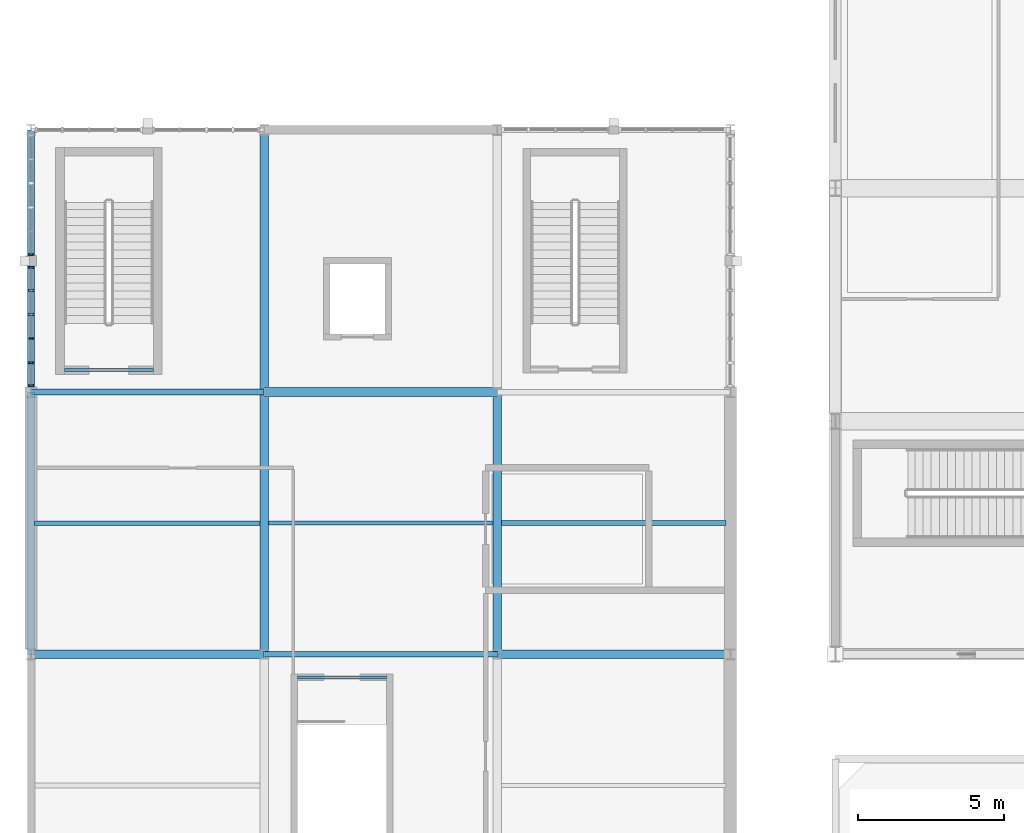
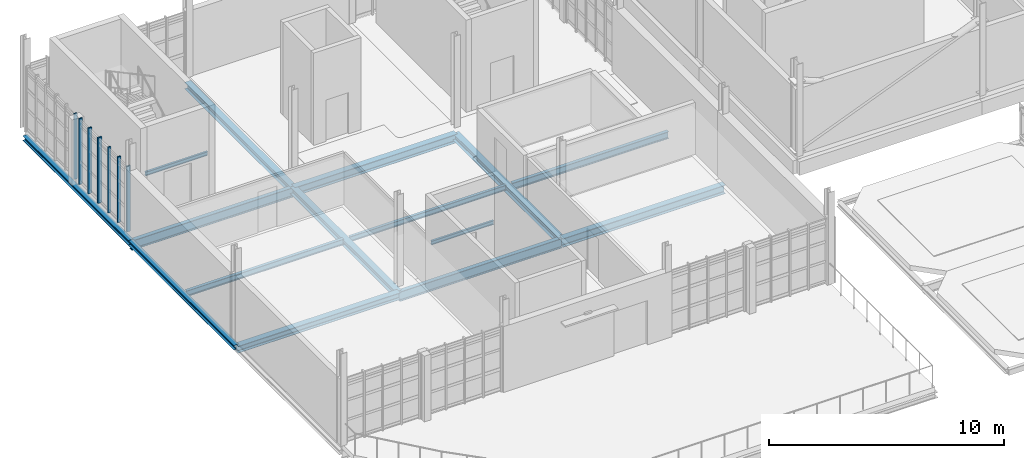
# One storey, part 13 of 128: 15 beams, 7 members, 2 elements without a shape of their own.
"""IFC4 building model written with IfcOpenShell, lengths in metres."""

from ifc_helpers import new_model, si_unit, direction, frame, origin, origin_2d, place, context, subcontext, project, spatial, rectangle, i_section, extrude, material, material_profile, profile_set, type_object, element, aggregate, save


model = new_model("IFC4")

# Units and contexts
model_context = context("Model", 3, precision=1e-05, world=origin(), true_north=direction((0.0, 1.0)))
body_context = subcontext(model_context, "Body", "Model", "MODEL_VIEW")
ifc_project = project(units=[si_unit("LENGTHUNIT", "METRE"), si_unit("AREAUNIT", "SQUARE_METRE"), si_unit("VOLUMEUNIT", "CUBIC_METRE"), si_unit("PLANEANGLEUNIT", "RADIAN"), si_unit("MASSUNIT", "GRAM", prefix="KILO")], contexts=[model_context])

# Site, building, storey
site_placement = place(None, origin())
site = spatial("IfcSite", under=ifc_project, at=site_placement, CompositionType="ELEMENT")
building_placement = place(site_placement, origin())
building = spatial("IfcBuilding", under=site, at=building_placement, Name="Serraforn Aerial Cableway Station", CompositionType="ELEMENT")
storey_placement = place(building_placement, frame((0.0, 0.0, 9.0)))
storey = spatial("IfcBuildingStorey", under=building, at=storey_placement, Name="L02", CompositionType="ELEMENT", Elevation=9.0)

# Beams
ifc_material_1 = material(Name="Steel S355JR", Category="steel")
ifc_material_profile_1 = material_profile(ifc_material_1, i_section(OverallWidth=0.239990234375, OverallDepth=0.239990234375, WebThickness=0.007568359375, FlangeThickness=0.011962890625, FilletRadius=0.02099609375, at=origin_2d()), Name="HEA 240")
ifc_profile_set_1 = profile_set([ifc_material_profile_1], Name="Steel S355JR")
beam_type_1 = type_object("IfcBeamType", Name="BM-ST-HEA240", PredefinedType="BEAM", material=ifc_profile_set_1)
for number, where, z_axis, x_axis, name in (
    (1, (0.0, 18.0, -0.43994140625), (0.0, 1.0, 0.0), (-1.0, 0.0, 0.0), "Grid Girder Y W L02 X1-2"),
    (2, (0.0, 27.0, -0.43994140625), (0.0, 1.0, 0.0), (-1.0, 0.0, 0.0), "Grid Girder Y W L02 X1-3"),
):
    element("IfcBeam", number, at=place(storey_placement, frame(where, z_axis=z_axis, x_axis=x_axis)), inside=storey, type_object=beam_type_1, Name=name, PredefinedType="BEAM", context=body_context, shape_type="SweptSolid", body=[
        extrude(i_section(OverallWidth=0.239990234375, OverallDepth=0.239990234375, WebThickness=0.007568359375, FlangeThickness=0.011962890625, FilletRadius=0.02099609375, at=origin_2d()), origin(), (0.0, 0.0, 1.0), 9.0),
    ])
ifc_material_profile_2 = material_profile(ifc_material_1, i_section(OverallWidth=0.300048828125, OverallDepth=0.360107421875, WebThickness=0.010009765625, FlangeThickness=0.017578125, FilletRadius=0.027099609375, at=origin_2d()), Name="HEA 360")
ifc_profile_set_2 = profile_set([ifc_material_profile_2], Name="Steel S355JR")
beam_type_2 = type_object("IfcBeamType", Name="BM-ST-HEA360", PredefinedType="BEAM", material=ifc_profile_set_2)
for number, where, z_axis, x_axis, name in (
    (3, (8.0, 18.0, -0.5), (0.0, 1.0, 0.0), (-1.0, 0.0, 0.0), "Grid Girder Y W L02 X2-3"),
    (4, (8.0, 27.0, -0.5), (0.0, 1.0, 0.0), (-1.0, 0.0, 0.0), "Grid Girder Y W L02 X2-4"),
    (5, (16.0, 18.0, -0.5), (0.0, 1.0, 0.0), (-1.0, 0.0, 0.0), "Grid Girder Y W L02 X3-3"),
):
    element("IfcBeam", number, at=place(storey_placement, frame(where, z_axis=z_axis, x_axis=x_axis)), inside=storey, type_object=beam_type_2, Name=name, PredefinedType="BEAM", context=body_context, shape_type="SweptSolid", body=[
        extrude(i_section(OverallWidth=0.300048828125, OverallDepth=0.360107421875, WebThickness=0.010009765625, FlangeThickness=0.017578125, FilletRadius=0.027099609375, at=origin_2d()), origin(), (0.0, 0.0, 1.0), 9.0),
    ])
ifc_material_profile_3 = material_profile(ifc_material_1, i_section(OverallWidth=0.300048828125, OverallDepth=0.449951171875, WebThickness=0.011474609375, FlangeThickness=0.02099609375, FilletRadius=0.027099609375, at=origin_2d()), Name="HEA 450")
ifc_profile_set_3 = profile_set([ifc_material_profile_3], Name="Steel S355JR")
beam_type_3 = type_object("IfcBeamType", Name="BM-ST-HEA450", PredefinedType="USERDEFINED", material=ifc_profile_set_3)
for number, where, z_axis, x_axis, name in (
    (6, (16.0, 18.0, -0.544921875), (1.0, 0.0, 0.0), (0.0, 1.0, 0.0), "Grid Girder X W L02 Y3-3"),
    (7, (8.0, 27.0, -0.544921875), (1.0, 0.0, 0.0), (0.0, 1.0, 0.0), "Grid Girder X W L02 Y4-2"),
):
    element("IfcBeam", number, at=place(storey_placement, frame(where, z_axis=z_axis, x_axis=x_axis)), inside=storey, type_object=beam_type_3, Name=name, ObjectType="GIRDER", PredefinedType="USERDEFINED", context=body_context, shape_type="SweptSolid", body=[
        extrude(i_section(OverallWidth=0.300048828125, OverallDepth=0.449951171875, WebThickness=0.011474609375, FlangeThickness=0.02099609375, FilletRadius=0.027099609375, at=origin_2d()), origin(), (0.0, 0.0, 1.0), 8.0),
    ])
ifc_material_2 = material(Name="Steel S355J2", Category="steel")
ifc_material_profile_4 = material_profile(ifc_material_2, i_section(OverallWidth=0.300048828125, OverallDepth=0.360107421875, WebThickness=0.012451171875, FlangeThickness=0.0224609375, FilletRadius=0.027099609375, at=origin_2d()), Name="HEB 360")
ifc_profile_set_4 = profile_set([ifc_material_profile_4], Name="Steel S355J2")
beam_type_4 = type_object("IfcBeamType", Name="BM-ST-HEB360", PredefinedType="USERDEFINED", material=ifc_profile_set_4)
beam_1_placement = place(storey_placement, frame((0.0, 18.0, -0.5), z_axis=(1.0, 0.0, 0.0), x_axis=(0.0, 1.0, 0.0)))
element("IfcBeam", 8, at=beam_1_placement, inside=storey, type_object=beam_type_4, Name="Grid Girder X W L02 Y3-1", ObjectType="GIRDER", PredefinedType="USERDEFINED", context=body_context, shape_type="SweptSolid", body=[
    extrude(i_section(OverallWidth=0.300048828125, OverallDepth=0.360107421875, WebThickness=0.012451171875, FlangeThickness=0.0224609375, FilletRadius=0.027099609375, at=origin_2d()), origin(), (0.0, 0.0, 1.0), 8.0),
])
ifc_material_profile_5 = material_profile(ifc_material_1, i_section(OverallWidth=0.10009765625, OverallDepth=0.199951171875, WebThickness=0.005615234375, FlangeThickness=0.008544921875, FilletRadius=0.011962890625, at=origin_2d()), Name="IPE 200")
ifc_profile_set_5 = profile_set([ifc_material_profile_5], Name="Steel S355JR")
beam_type_5 = type_object("IfcBeamType", Name="BM-ST-IPE200", PredefinedType="LINTEL", material=ifc_profile_set_5)
for number, where, z_axis, x_axis, name in (
    (9, (4.199951171875, 27.75, 2.27490234375), (-1.0, 0.0, 0.0), (0.0, -1.0, 0.0), "Stair Core Door Lintel D-S03"),
    (10, (9.139892578125, 17.2099609375, 2.27490234375), (1.0, 0.0, 0.0), (0.0, 1.0, 0.0), "Stair Core Door Lintel D-S11"),
):
    element("IfcBeam", number, at=place(storey_placement, frame(where, z_axis=z_axis, x_axis=x_axis)), inside=storey, type_object=beam_type_5, Name=name, PredefinedType="LINTEL", context=body_context, shape_type="SweptSolid", body=[
        extrude(i_section(OverallWidth=0.10009765625, OverallDepth=0.199951171875, WebThickness=0.005615234375, FlangeThickness=0.008544921875, FilletRadius=0.011962890625, at=origin_2d()), origin(), (0.0, 0.0, 1.0), 3.06005859375),
    ])
ifc_material_profile_6 = material_profile(ifc_material_1, i_section(OverallWidth=0.135009765625, OverallDepth=0.27001953125, WebThickness=0.006591796875, FlangeThickness=0.01025390625, FilletRadius=0.014892578125, at=origin_2d()), Name="IPE 270")
ifc_profile_set_6 = profile_set([ifc_material_profile_6], Name="Steel S355JR")
beam_type_6 = type_object("IfcBeamType", Name="BM-ST-IPE270", PredefinedType="JOIST", material=ifc_profile_set_6)
beam_2_placement = place(storey_placement, frame((8.14990234375, 22.5, -0.389892578125), z_axis=(1.0, 0.0, 0.0), x_axis=(0.0, 1.0, 0.0)))
element("IfcBeam", 11, at=beam_2_placement, inside=storey, type_object=beam_type_6, Name="Floor Joist W-L02-2-3-1", PredefinedType="JOIST", context=body_context, shape_type="SweptSolid", body=[
    extrude(i_section(OverallWidth=0.135009765625, OverallDepth=0.27001953125, WebThickness=0.006591796875, FlangeThickness=0.01025390625, FilletRadius=0.014892578125, at=origin_2d()), origin(), (0.0, 0.0, 1.0), 7.7001953125),
])
ifc_material_profile_7 = material_profile(ifc_material_1, i_section(OverallWidth=0.14990234375, OverallDepth=0.300048828125, WebThickness=0.007080078125, FlangeThickness=0.0107421875, FilletRadius=0.014892578125, at=origin_2d()), Name="IPE 300")
ifc_profile_set_7 = profile_set([ifc_material_profile_7], Name="Steel S355JR")
beam_type_7 = type_object("IfcBeamType", Name="BM-ST-IPE300", PredefinedType="JOIST", material=ifc_profile_set_7)
beam_3_placement = place(storey_placement, frame((0.1201171875, 22.5, -0.405029296875), z_axis=(1.0, 0.0, 0.0), x_axis=(0.0, 1.0, 0.0)))
element("IfcBeam", 12, at=beam_3_placement, inside=storey, type_object=beam_type_7, Name="Floor Joist W-L02-1-3-1", PredefinedType="JOIST", context=body_context, shape_type="SweptSolid", body=[
    extrude(i_section(OverallWidth=0.14990234375, OverallDepth=0.300048828125, WebThickness=0.007080078125, FlangeThickness=0.0107421875, FilletRadius=0.014892578125, at=origin_2d()), origin(), (0.0, 0.0, 1.0), 7.72998046875),
])
ifc_material_profile_8 = material_profile(ifc_material_1, i_section(OverallWidth=0.169921875, OverallDepth=0.360107421875, WebThickness=0.008056640625, FlangeThickness=0.0126953125, FilletRadius=0.01806640625, at=origin_2d()), Name="IPE 360")
ifc_profile_set_8 = profile_set([ifc_material_profile_8], Name="Steel S355JR")
beam_type_8 = type_object("IfcBeamType", Name="BM-ST-IPE360", PredefinedType="JOIST", material=ifc_profile_set_8)
beam_4_placement = place(storey_placement, frame((16.14990234375, 22.5, -0.43505859375), z_axis=(1.0, 0.0, 0.0), x_axis=(0.0, 1.0, 0.0)))
element("IfcBeam", 13, at=beam_4_placement, inside=storey, type_object=beam_type_8, Name="Floor Joist W-L02-3-3-1", PredefinedType="JOIST", context=body_context, shape_type="SweptSolid", body=[
    extrude(i_section(OverallWidth=0.169921875, OverallDepth=0.360107421875, WebThickness=0.008056640625, FlangeThickness=0.0126953125, FilletRadius=0.01806640625, at=origin_2d()), origin(), (0.0, 0.0, 1.0), 7.7001953125),
])
ifc_material_profile_9 = material_profile(ifc_material_1, i_section(OverallWidth=0.199951171875, OverallDepth=0.5, WebThickness=0.01025390625, FlangeThickness=0.01611328125, FilletRadius=0.02099609375, at=origin_2d()), Name="IPE 500")
ifc_profile_set_9 = profile_set([ifc_material_profile_9], Name="Steel S355JR")
beam_type_9 = type_object("IfcBeamType", Name="BM-ST-IPE500", PredefinedType="USERDEFINED", material=ifc_profile_set_9)
for number, where, z_axis, x_axis, name in (
    (14, (8.0, 18.0, -0.570068359375), (1.0, 0.0, 0.0), (0.0, 1.0, 0.0), "Grid Girder X W L02 Y3-2"),
    (15, (0.0, 27.0, -0.570068359375), (1.0, 0.0, 0.0), (0.0, 1.0, 0.0), "Grid Girder X W L02 Y4-1"),
):
    element("IfcBeam", number, at=place(storey_placement, frame(where, z_axis=z_axis, x_axis=x_axis)), inside=storey, type_object=beam_type_9, Name=name, ObjectType="GIRDER", PredefinedType="USERDEFINED", context=body_context, shape_type="SweptSolid", body=[
        extrude(i_section(OverallWidth=0.199951171875, OverallDepth=0.5, WebThickness=0.01025390625, FlangeThickness=0.01611328125, FilletRadius=0.02099609375, at=origin_2d()), origin(), (0.0, 0.0, 1.0), 8.0),
    ])

# Curtain wall, member
ifc_material_3 = material(Name="Anodised bronze unitised curtain wall")
curtain_wall_type_1 = type_object("IfcCurtainWallType", Name="CW-SYS-4", PredefinedType="USERDEFINED", material=ifc_material_3)
curtain_wall_1_placement = place(storey_placement, origin())
curtain_wall_1 = element("IfcCurtainWall", 16, at=curtain_wall_1_placement, inside=storey, type_object=curtain_wall_type_1, Name="Unitised Curtain Wall CW-W-L02-W3B", ObjectType="UNITISED CURTAIN WALL", PredefinedType="USERDEFINED")
ifc_material_4 = material(Name="Anodised bronze extruded aluminium", Category="aluminium")
ifc_material_profile_10 = material_profile(ifc_material_4, rectangle(XDim=0.054931640625, YDim=0.139892578125, at=origin_2d()), Name="CW MULLION 55x140")
ifc_profile_set_10 = profile_set([ifc_material_profile_10], Name="Anodised bronze extruded aluminium")
member_type_1 = type_object("IfcMemberType", Name="CW-MUL-1", PredefinedType="MULLION", material=ifc_profile_set_10)
member_1_placement = place(storey_placement, frame((0.0, 28.834716796875, 0.0), z_axis=(0.0, 0.0, 1.0), x_axis=(0.0, -1.0, 0.0)))
member_1 = element("IfcMember", 17, at=member_1_placement, type_object=member_type_1, Name="Curtain Wall Mullion CW-W-L02-W3B-M4", PredefinedType="MULLION", context=body_context, shape_type="SweptSolid", body=[
    extrude(rectangle(XDim=0.054931640625, YDim=0.139892578125, at=origin_2d()), origin(), (0.0, 0.0, 1.0), 3.419921875),
])

curtain_wall_type_2 = type_object("IfcCurtainWallType", Name="CW-SYS-3", PredefinedType="USERDEFINED", material=ifc_material_3)
curtain_wall_2_placement = place(storey_placement, origin())
curtain_wall_2 = element("IfcCurtainWall", 18, at=curtain_wall_2_placement, inside=storey, type_object=curtain_wall_type_2, Name="Unitised Curtain Wall CW-W-L02-W3A", ObjectType="UNITISED CURTAIN WALL", PredefinedType="USERDEFINED")
ifc_material_profile_11 = material_profile(ifc_material_4, rectangle(XDim=0.06005859375, YDim=0.159912109375, at=origin_2d()), Name="CW MULLION 60x160")
ifc_profile_set_11 = profile_set([ifc_material_profile_11], Name="Anodised bronze extruded aluminium")
member_type_2 = type_object("IfcMemberType", Name="CW-MUL-2", PredefinedType="MULLION", material=ifc_profile_set_11)
member_2_placement = place(storey_placement, frame((0.0, 31.7099609375, 0.0), z_axis=(0.0, 0.0, 1.0), x_axis=(0.0, -1.0, 0.0)))
member_2 = element("IfcMember", 19, at=member_2_placement, type_object=member_type_2, Name="Curtain Wall Mullion CW-W-L02-W3A-M6", PredefinedType="MULLION", context=body_context, shape_type="SweptSolid", body=[
    extrude(rectangle(XDim=0.06005859375, YDim=0.159912109375, at=origin_2d()), origin(), (0.0, 0.0, 1.0), 3.419921875),
])
aggregate(curtain_wall_2, [member_2])

# Member
member_3_placement = place(storey_placement, frame((0.0, 28.00634765625, 0.0), z_axis=(0.0, 0.0, 1.0), x_axis=(0.0, -1.0, 0.0)))
member_3 = element("IfcMember", 20, at=member_3_placement, type_object=member_type_2, Name="Curtain Wall Mullion CW-W-L02-W3B-M5", PredefinedType="MULLION", context=body_context, shape_type="SweptSolid", body=[
    extrude(rectangle(XDim=0.06005859375, YDim=0.159912109375, at=origin_2d()), origin(), (0.0, 0.0, 1.0), 3.419921875),
])

ifc_material_profile_12 = material_profile(ifc_material_4, rectangle(XDim=0.06494140625, YDim=0.175048828125, at=origin_2d()), Name="CW MULLION 65x175")
ifc_profile_set_12 = profile_set([ifc_material_profile_12], Name="Anodised bronze extruded aluminium")
member_type_3 = type_object("IfcMemberType", Name="CW-MUL-3", PredefinedType="MULLION", material=ifc_profile_set_12)
member_4_placement = place(storey_placement, frame((0.0, 31.28759765625, 0.0), z_axis=(0.0, 0.0, 1.0), x_axis=(0.0, -1.0, 0.0)))
member_4 = element("IfcMember", 21, at=member_4_placement, type_object=member_type_3, Name="Curtain Wall Mullion CW-W-L02-W3B-M1", PredefinedType="MULLION", context=body_context, shape_type="SweptSolid", body=[
    extrude(rectangle(XDim=0.06494140625, YDim=0.175048828125, at=origin_2d()), origin(), (0.0, 0.0, 1.0), 3.419921875),
])

member_5_placement = place(storey_placement, frame((0.0, 27.21044921875, 0.0), z_axis=(0.0, 0.0, 1.0), x_axis=(0.0, -1.0, 0.0)))
member_5 = element("IfcMember", 22, at=member_5_placement, type_object=member_type_3, Name="Curtain Wall Mullion CW-W-L02-W3B-M6", PredefinedType="MULLION", context=body_context, shape_type="SweptSolid", body=[
    extrude(rectangle(XDim=0.06494140625, YDim=0.175048828125, at=origin_2d()), origin(), (0.0, 0.0, 1.0), 3.419921875),
])

ifc_material_profile_13 = material_profile(ifc_material_4, rectangle(XDim=0.070068359375, YDim=0.18994140625, at=origin_2d()), Name="CW MULLION 70x190")
ifc_profile_set_13 = profile_set([ifc_material_profile_13], Name="Anodised bronze extruded aluminium")
member_type_4 = type_object("IfcMemberType", Name="CW-MUL-4", PredefinedType="MULLION", material=ifc_profile_set_13)
member_6_placement = place(storey_placement, frame((0.0, 30.49169921875, 0.0), z_axis=(0.0, 0.0, 1.0), x_axis=(0.0, -1.0, 0.0)))
member_6 = element("IfcMember", 23, at=member_6_placement, type_object=member_type_4, Name="Curtain Wall Mullion CW-W-L02-W3B-M2", PredefinedType="MULLION", context=body_context, shape_type="SweptSolid", body=[
    extrude(rectangle(XDim=0.070068359375, YDim=0.18994140625, at=origin_2d()), origin(), (0.0, 0.0, 1.0), 3.419921875),
])

ifc_material_profile_14 = material_profile(ifc_material_4, rectangle(XDim=0.074951171875, YDim=0.199951171875, at=origin_2d()), Name="CW MULLION 75x200")
ifc_profile_set_14 = profile_set([ifc_material_profile_14], Name="Anodised bronze extruded aluminium")
member_type_5 = type_object("IfcMemberType", Name="CW-MUL-5", PredefinedType="MULLION", material=ifc_profile_set_14)
member_7_placement = place(storey_placement, frame((0.0, 29.6630859375, 0.0), z_axis=(0.0, 0.0, 1.0), x_axis=(0.0, -1.0, 0.0)))
member_7 = element("IfcMember", 24, at=member_7_placement, type_object=member_type_5, Name="Curtain Wall Mullion CW-W-L02-W3B-M3", PredefinedType="MULLION", context=body_context, shape_type="SweptSolid", body=[
    extrude(rectangle(XDim=0.074951171875, YDim=0.199951171875, at=origin_2d()), origin(), (0.0, 0.0, 1.0), 3.419921875),
])

aggregate(curtain_wall_1, [member_4, member_6, member_7, member_1, member_3, member_5])

save(model, "model.ifc")
